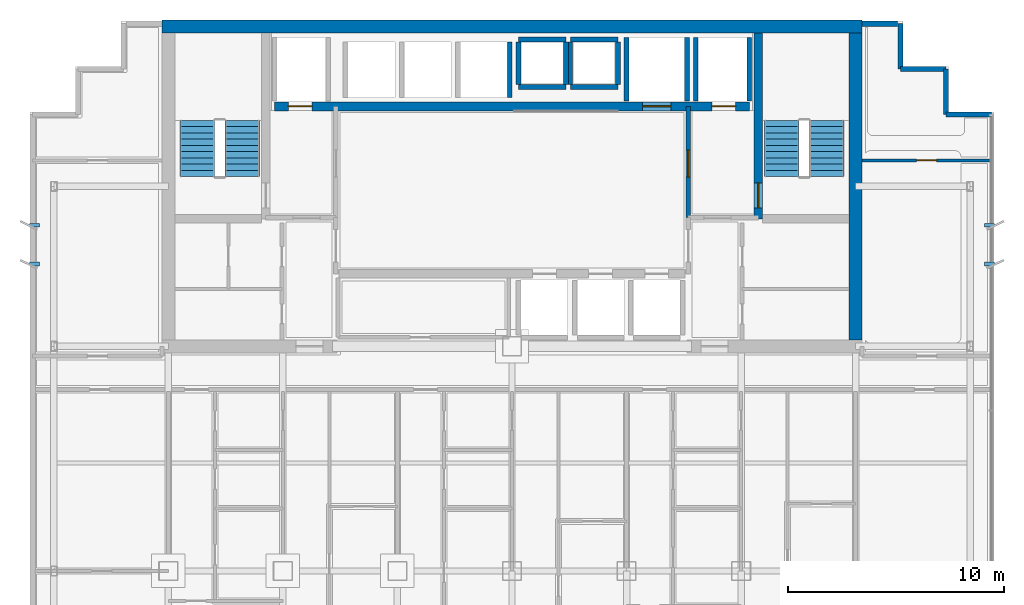
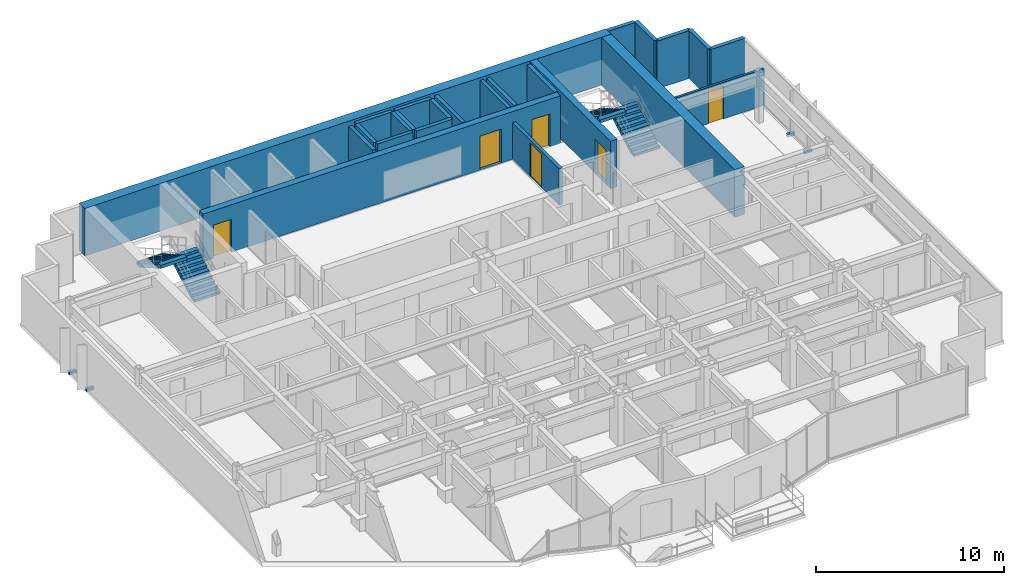
# One storey, part 11 of 13: 24 walls, 6 doors, 4 discrete accessories, 4 stair flights, 6 openings, 2 elements without a shape of their own.
"""IFC4 building model written with IfcOpenShell, lengths in metres."""

from ifc_helpers import new_model, si_unit, direction, frame, frame_2d, origin, origin_2d, place, context, subcontext, project, spatial, polyline, rectangle, outline, extrude, source, transform, mapped, material, layer, layer_set, type_object, element, fill, aggregate, save


model = new_model("IFC4")

# Units and contexts
model_context = context("Model", 3, precision=1e-05, world=origin(), true_north=direction((0.0, 1.0)))
body_context = subcontext(model_context, "Body", "Model", "MODEL_VIEW")
ifc_project = project(units=[si_unit("LENGTHUNIT", "METRE"), si_unit("AREAUNIT", "SQUARE_METRE"), si_unit("VOLUMEUNIT", "CUBIC_METRE"), si_unit("PLANEANGLEUNIT", "RADIAN"), si_unit("MASSUNIT", "GRAM", prefix="KILO")], contexts=[model_context])

# Site, building, storey
site_placement = place(None, origin())
site = spatial("IfcSite", under=ifc_project, at=site_placement, CompositionType="ELEMENT")
building_placement = place(site_placement, origin())
building = spatial("IfcBuilding", under=site, at=building_placement, Name="Qianlan Lanfeng Residences", CompositionType="ELEMENT")
storey_placement = place(building_placement, frame((0.0, 0.0, 162.300048828125)))
storey = spatial("IfcBuildingStorey", under=building, at=storey_placement, Name="L44", CompositionType="ELEMENT", Elevation=162.300048828125)

# Wall, opening, door
ifc_material_1 = material(Name="Concrete C56", Category="concrete")
ifc_layer_1 = layer(ifc_material_1, 0.39990234375)
ifc_layer_set_1 = layer_set([ifc_layer_1], Name="Concrete C56")
wall_type_1 = type_object("IfcWallType", Name="CW-RC-400", PredefinedType="SHEAR", material=ifc_layer_set_1)
wall_1_placement = place(storey_placement, frame((37.89990234375, 31.10009765625, 0.0), z_axis=(0.0, 0.0, 1.0), x_axis=(0.0, 1.0, 0.0)))
wall_1 = element("IfcWall", 1, at=wall_1_placement, inside=storey, type_object=wall_type_1, Name="L44 Core Shear Wall ST2W", PredefinedType="SHEAR", context=body_context, shape_type="SweptSolid", body=[
    extrude(rectangle(XDim=8.599853515625, YDim=0.39990234375, at=frame_2d((4.2998046875, 0.0))), origin(), (0.0, 0.0, 1.0), 3.099853515625),
])
opening_1_placement = place(wall_1_placement, frame((0.510009765625, 0.0, 0.0)))
opening_1 = element("IfcOpeningElement", 2, at=opening_1_placement, cuts=wall_1, Name="Opening L44-D08", PredefinedType="OPENING", context=body_context, shape_type="SweptSolid", body=[
    extrude(rectangle(XDim=1.14990234375, YDim=2.199951171875, at=frame_2d((0.574951171875, 1.10009765625))), frame((0.0, 0.2099609375, 0.0), z_axis=(0.0, -1.0, 0.0), x_axis=(1.0, 0.0, 0.0)), (0.0, 0.0, 1.0), 0.419921875),
])
ifc_material_2 = material(Name="Painted Galvanised Steel Fire Door", Category="steel")
door_type_1 = type_object("IfcDoorType", Name="DT-ST1", OperationType="NOTDEFINED", PredefinedType="DOOR", material=ifc_material_2)
door_1_placement = place(opening_1_placement, origin())
door_1 = element("IfcDoor", 3, at=door_1_placement, inside=storey, type_object=door_type_1, Name="L44 Exit Stair ST-2 Door L44-D08 (DT-ST1)", OperationType="SINGLE_SWING_RIGHT", OverallHeight=2.199951171875, OverallWidth=1.14990234375, PredefinedType="DOOR", context=body_context, shape_type="SweptSolid", body=[
    extrude(rectangle(XDim=1.14990234375, YDim=2.199951171875, at=frame_2d((0.574951171875, 1.10009765625))), frame((0.0, 0.02490234375, 0.0), z_axis=(0.0, -1.0, 0.0), x_axis=(1.0, 0.0, 0.0)), (0.0, 0.0, 1.0), 0.050048828125),
])
fill(opening_1, door_1)

# Wall, openings, doors
wall_2_placement = place(storey_placement, frame((15.5, 36.300048828125, 0.0), z_axis=(0.0, 0.0, 1.0), x_axis=(1.0, 0.0, 0.0)))
wall_2 = element("IfcWall", 4, at=wall_2_placement, inside=storey, type_object=wall_type_1, Name="L44 Core Shear Wall LBN", PredefinedType="SHEAR", context=body_context, shape_type="SweptSolid", body=[
    extrude(rectangle(XDim=22.0, YDim=0.39990234375, at=frame_2d((11.0, 0.0))), origin(), (0.0, 0.0, 1.0), 3.099853515625),
])
opening_2_placement = place(wall_2_placement, frame((0.64990234375, 0.0, 0.0)))
opening_2 = element("IfcOpeningElement", 5, at=opening_2_placement, cuts=wall_2, Name="Opening L44-LD-FFL-1", PredefinedType="OPENING", context=body_context, shape_type="SweptSolid", body=[
    extrude(rectangle(XDim=1.10009765625, YDim=2.14990234375, at=frame_2d((0.550048828125, 1.074951171875))), frame((0.0, 0.2099609375, 0.0), z_axis=(0.0, -1.0, 0.0), x_axis=(1.0, 0.0, 0.0)), (0.0, 0.0, 1.0), 0.419921875),
])
opening_3_placement = place(wall_2_placement, frame((20.25, 0.0, 0.0)))
opening_3 = element("IfcOpeningElement", 6, at=opening_3_placement, cuts=wall_2, Name="Opening L44-LD-FFL-2", PredefinedType="OPENING", context=body_context, shape_type="SweptSolid", body=[
    extrude(rectangle(XDim=1.10009765625, YDim=2.14990234375, at=frame_2d((0.550048828125, 1.074951171875))), frame((0.0, 0.2099609375, 0.0), z_axis=(0.0, -1.0, 0.0), x_axis=(1.0, 0.0, 0.0)), (0.0, 0.0, 1.0), 0.419921875),
])
opening_4_placement = place(wall_2_placement, frame((17.050048828125, 0.0, 0.0)))
opening_4 = element("IfcOpeningElement", 7, at=opening_4_placement, cuts=wall_2, Name="Opening L44-LD-SVL-1", PredefinedType="OPENING", context=body_context, shape_type="SweptSolid", body=[
    extrude(rectangle(XDim=1.300048828125, YDim=2.199951171875, at=frame_2d((0.64990234375, 1.10009765625))), frame((0.0, 0.2099609375, 0.0), z_axis=(0.0, -1.0, 0.0), x_axis=(1.0, 0.0, 0.0)), (0.0, 0.0, 1.0), 0.419921875),
])
ifc_material_3 = material(Name="Brushed Stainless Steel Sliding Lift Door", Category="steel")
door_type_2 = type_object("IfcDoorType", Name="LD-01", OperationType="NOTDEFINED", PredefinedType="DOOR", material=ifc_material_3)
door_2_placement = place(opening_2_placement, frame((1.10009765625, 0.0, 0.0), z_axis=(0.0, 0.0, 1.0), x_axis=(-1.0, 0.0, 0.0)))
door_2 = element("IfcDoor", 8, at=door_2_placement, inside=storey, type_object=door_type_2, Name="L44 Elevator FFL-1 Sliding Landing Door", OperationType="DOUBLE_DOOR_SLIDING", OverallHeight=2.14990234375, OverallWidth=1.10009765625, PredefinedType="DOOR", context=body_context, shape_type="SweptSolid", body=[
    extrude(rectangle(XDim=1.10009765625, YDim=2.14990234375, at=frame_2d((0.550048828125, 1.074951171875))), frame((0.0, 0.02490234375, 0.0), z_axis=(0.0, -1.0, 0.0), x_axis=(1.0, 0.0, 0.0)), (0.0, 0.0, 1.0), 0.050048828125),
])
fill(opening_2, door_2)
door_3_placement = place(opening_3_placement, frame((1.10009765625, 0.0, 0.0), z_axis=(0.0, 0.0, 1.0), x_axis=(-1.0, 0.0, 0.0)))
door_3 = element("IfcDoor", 9, at=door_3_placement, inside=storey, type_object=door_type_2, Name="L44 Elevator FFL-2 Sliding Landing Door", OperationType="DOUBLE_DOOR_SLIDING", OverallHeight=2.14990234375, OverallWidth=1.10009765625, PredefinedType="DOOR", context=body_context, shape_type="SweptSolid", body=[
    extrude(rectangle(XDim=1.10009765625, YDim=2.14990234375, at=frame_2d((0.550048828125, 1.074951171875))), frame((0.0, 0.02490234375, 0.0), z_axis=(0.0, -1.0, 0.0), x_axis=(1.0, 0.0, 0.0)), (0.0, 0.0, 1.0), 0.050048828125),
])
fill(opening_3, door_3)
door_type_3 = type_object("IfcDoorType", Name="LD-02", OperationType="NOTDEFINED", PredefinedType="DOOR", material=ifc_material_3)
door_4_placement = place(opening_4_placement, frame((1.300048828125, 0.0, 0.0), z_axis=(0.0, 0.0, 1.0), x_axis=(-1.0, 0.0, 0.0)))
door_4 = element("IfcDoor", 10, at=door_4_placement, inside=storey, type_object=door_type_3, Name="L44 Elevator SVL-1 Sliding Landing Door", OperationType="DOUBLE_DOOR_SLIDING", OverallHeight=2.199951171875, OverallWidth=1.300048828125, PredefinedType="DOOR", context=body_context, shape_type="SweptSolid", body=[
    extrude(rectangle(XDim=1.300048828125, YDim=2.199951171875, at=frame_2d((0.64990234375, 1.10009765625))), frame((0.0, 0.02490234375, 0.0), z_axis=(0.0, -1.0, 0.0), x_axis=(1.0, 0.0, 0.0)), (0.0, 0.0, 1.0), 0.050048828125),
])
fill(opening_4, door_4)

# Walls
ifc_layer_2 = layer(ifc_material_1, 0.60009765625)
ifc_layer_set_2 = layer_set([ifc_layer_2], Name="Concrete C56")
wall_type_2 = type_object("IfcWallType", Name="CW-RC-600", PredefinedType="SHEAR", material=ifc_layer_set_2)
wall_3_placement = place(storey_placement, frame((10.300048828125, 40.0, 0.0), z_axis=(0.0, 0.0, 1.0), x_axis=(1.0, 0.0, 0.0)))
element("IfcWall", 11, at=wall_3_placement, inside=storey, type_object=wall_type_2, Name="L44 Core Shear Wall N", PredefinedType="SHEAR", context=body_context, shape_type="SweptSolid", body=[
    extrude(rectangle(XDim=32.39990234375, YDim=0.60009765625, at=frame_2d((16.199951171875, 0.0))), origin(), (0.0, 0.0, 1.0), 3.099853515625),
])
wall_4_placement = place(storey_placement, frame((42.39990234375, 25.5, 0.0), z_axis=(0.0, 0.0, 1.0), x_axis=(0.0, 1.0, 0.0)))
element("IfcWall", 12, at=wall_4_placement, inside=storey, type_object=wall_type_2, Name="L44 Core Shear Wall E", PredefinedType="SHEAR", context=body_context, shape_type="SweptSolid", body=[
    extrude(rectangle(XDim=14.199951171875, YDim=0.60009765625, at=frame_2d((7.10009765625, 0.0))), origin(), (0.0, 0.0, 1.0), 3.099853515625),
])
ifc_material_4 = material(Name="Concrete C42", Category="concrete")
ifc_layer_3 = layer(ifc_material_4, 0.239990234375)
ifc_layer_set_3 = layer_set([ifc_layer_3], Name="Concrete C42")
wall_type_3 = type_object("IfcWallType", Name="EW-240", PredefinedType="SOLIDWALL", material=ifc_layer_set_3)
wall_5_placement = place(storey_placement, frame((48.679931640625, 35.929931640625, 0.0), z_axis=(0.0, 0.0, 1.0), x_axis=(-1.0, 0.0, 0.0)))
element("IfcWall", 13, at=wall_5_placement, inside=storey, type_object=wall_type_3, Name="L44 Exterior Facade Spandrel Wall 11", PredefinedType="SOLIDWALL", context=body_context, shape_type="SweptSolid", body=[
    extrude(rectangle(XDim=2.099853515625, YDim=0.239990234375, at=frame_2d((1.0498046875, 0.0))), origin(), (0.0, 0.0, 1.0), 3.099853515625),
])
for number, where, z_axis, x_axis, name in (
    (14, (46.580078125, 35.929931640625, 0.0), (0.0, 0.0, 1.0), (0.0, 1.0, 0.0), "L44 Exterior Facade Spandrel Wall 12"),
    (15, (46.580078125, 38.030029296875, 0.0), (0.0, 0.0, 1.0), (-1.0, 0.0, 0.0), "L44 Exterior Facade Spandrel Wall 13"),
):
    element("IfcWall", number, at=place(storey_placement, frame(where, z_axis=z_axis, x_axis=x_axis)), inside=storey, type_object=wall_type_3, Name=name, PredefinedType="SOLIDWALL", context=body_context, shape_type="SweptSolid", body=[
        extrude(rectangle(XDim=2.10009765625, YDim=0.239990234375, at=frame_2d((1.050048828125, 0.0))), origin(), (0.0, 0.0, 1.0), 3.099853515625),
    ])
wall_6_placement = place(storey_placement, frame((44.47998046875, 38.030029296875, 0.0), z_axis=(0.0, 0.0, 1.0), x_axis=(0.0, 1.0, 0.0)))
element("IfcWall", 16, at=wall_6_placement, inside=storey, type_object=wall_type_3, Name="L44 Exterior Facade Spandrel Wall 14", PredefinedType="SOLIDWALL", context=body_context, shape_type="SweptSolid", body=[
    extrude(rectangle(XDim=2.099853515625, YDim=0.239990234375, at=frame_2d((1.0498046875, 0.0))), origin(), (0.0, 0.0, 1.0), 3.099853515625),
])
wall_7_placement = place(storey_placement, frame((44.35009765625, 40.1298828125, 0.0), z_axis=(0.0, 0.0, 1.0), x_axis=(-1.0, 0.0, 0.0)))
element("IfcWall", 17, at=wall_7_placement, inside=storey, type_object=wall_type_3, Name="L44 North Wing Exterior Wall E", PredefinedType="SOLIDWALL", context=body_context, shape_type="SweptSolid", body=[
    extrude(rectangle(XDim=1.650146484375, YDim=0.239990234375, at=frame_2d((0.8251953125, 0.0))), origin(), (0.0, 0.0, 1.0), 3.099853515625),
])

# Wall, opening, door
ifc_material_5 = material(Name="Moisture-Resistant Gypsum Partition 135 mm")
ifc_layer_4 = layer(ifc_material_5, 0.135009765625)
ifc_layer_set_4 = layer_set([ifc_layer_4], Name="Moisture-Resistant Gypsum Partition 135 mm")
wall_type_4 = type_object("IfcWallType", Name="PW-135", PredefinedType="PARTITIONING", material=ifc_layer_set_4)
wall_8_placement = place(storey_placement, frame((42.699951171875, 33.800048828125, 0.0), z_axis=(0.0, 0.0, 1.0), x_axis=(1.0, 0.0, 0.0)))
wall_8 = element("IfcWall", 18, at=wall_8_placement, inside=storey, type_object=wall_type_4, Name="L44 EW North Wing Wall", PredefinedType="PARTITIONING", context=body_context, shape_type="SweptSolid", body=[
    extrude(rectangle(XDim=5.97998046875, YDim=0.135009765625, at=frame_2d((2.989990234375, 0.0))), origin(), (0.0, 0.0, 1.0), 2.3798828125),
])
opening_5_placement = place(wall_8_placement, frame((2.530029296875, 0.0, 0.0)))
opening_5 = element("IfcOpeningElement", 19, at=opening_5_placement, cuts=wall_8, Name="Opening L44-D53", PredefinedType="OPENING", context=body_context, shape_type="SweptSolid", body=[
    extrude(rectangle(XDim=0.919921875, YDim=2.14990234375, at=frame_2d((0.4599609375, 1.074951171875))), frame((0.0, 0.07763671875, 0.0), z_axis=(0.0, -1.0, 0.0), x_axis=(1.0, 0.0, 0.0)), (0.0, 0.0, 1.0), 0.155029296875),
])
ifc_material_6 = material(Name="Glazed Timber Kitchen/Study Door", Category="wood")
door_type_4 = type_object("IfcDoorType", Name="DT-INT", OperationType="NOTDEFINED", PredefinedType="DOOR", material=ifc_material_6)
door_5_placement = place(opening_5_placement, origin())
door_5 = element("IfcDoor", 20, at=door_5_placement, inside=storey, type_object=door_type_4, Name="L44 EW Inner Salon Door L44-D53 (DT-INT)", OperationType="SINGLE_SWING_RIGHT", OverallHeight=2.14990234375, OverallWidth=0.919921875, PredefinedType="DOOR", context=body_context, shape_type="SweptSolid", body=[
    extrude(rectangle(XDim=0.919921875, YDim=2.14990234375, at=frame_2d((0.4599609375, 1.074951171875))), frame((0.0, 0.02490234375, 0.0), z_axis=(0.0, -1.0, 0.0), x_axis=(1.0, 0.0, 0.0)), (0.0, 0.0, 1.0), 0.050048828125),
])
fill(opening_5, door_5)

ifc_material_7 = material(Name="Autoclaved Aerated Concrete Blockwork 200 mm", Category="masonry")
ifc_layer_5 = layer(ifc_material_7, 0.199951171875)
ifc_layer_set_5 = layer_set([ifc_layer_5], Name="Autoclaved Aerated Concrete Blockwork 200 mm")
wall_type_5 = type_object("IfcWallType", Name="PW-200", PredefinedType="PARTITIONING", material=ifc_layer_set_5)
wall_9_placement = place(storey_placement, frame((34.64990234375, 31.14990234375, 0.0), z_axis=(0.0, 0.0, 1.0), x_axis=(0.0, 1.0, 0.0)))
wall_9 = element("IfcWall", 21, at=wall_9_placement, inside=storey, type_object=wall_type_5, Name="L44 Firefighting Lobby 2 West Wall", PredefinedType="PARTITIONING", context=body_context, shape_type="SweptSolid", body=[
    extrude(rectangle(XDim=5.150146484375, YDim=0.199951171875, at=frame_2d((2.5751953125, 0.0))), origin(), (0.0, 0.0, 1.0), 2.3798828125),
])
opening_6_placement = place(wall_9_placement, frame((1.875, 0.0, 0.0)))
opening_6 = element("IfcOpeningElement", 22, at=opening_6_placement, cuts=wall_9, Name="Opening L44-D06", PredefinedType="OPENING", context=body_context, shape_type="SweptSolid", body=[
    extrude(rectangle(XDim=1.25, YDim=2.199951171875, at=frame_2d((0.625, 1.10009765625))), frame((0.0, 0.10986328125, 0.0), z_axis=(0.0, -1.0, 0.0), x_axis=(1.0, 0.0, 0.0)), (0.0, 0.0, 1.0), 0.219970703125),
])
door_type_5 = type_object("IfcDoorType", Name="DT-FFL", OperationType="NOTDEFINED", PredefinedType="DOOR", material=ifc_material_2)
door_6_placement = place(opening_6_placement, origin())
door_6 = element("IfcDoor", 23, at=door_6_placement, inside=storey, type_object=door_type_5, Name="L44 Firefighting Lobby 2 Lift Lobby Door L44-D06 (DT-FFL)", OperationType="SINGLE_SWING_LEFT", OverallHeight=2.199951171875, OverallWidth=1.25, PredefinedType="DOOR", context=body_context, shape_type="SweptSolid", body=[
    extrude(rectangle(XDim=1.25, YDim=2.199951171875, at=frame_2d((0.625, 1.10009765625))), frame((0.0, 0.02490234375, 0.0), z_axis=(0.0, -1.0, 0.0), x_axis=(1.0, 0.0, 0.0)), (0.0, 0.0, 1.0), 0.050048828125),
])
fill(opening_6, door_6)

# Walls
ifc_material_8 = material(Name="Concrete C49", Category="concrete")
ifc_layer_6 = layer(ifc_material_8, 0.219970703125)
ifc_layer_set_6 = layer_set([ifc_layer_6], Name="Concrete C49")
wall_type_6 = type_object("IfcWallType", Name="SHW-220", PredefinedType="SOLIDWALL", material=ifc_layer_set_6)
for number, where, z_axis, x_axis, name in (
    (24, (35.0, 36.550048828125, 0.0), (0.0, 0.0, 1.0), (0.0, 1.0, 0.0), "L44 Lift FFL-2 Shaft Wall W"),
    (25, (37.47998046875, 36.550048828125, 0.0), (0.0, 0.0, 1.0), (0.0, 1.0, 0.0), "L44 Lift FFL-2 Shaft Wall E"),
    (26, (31.800048828125, 36.550048828125, 0.0), (0.0, 0.0, 1.0), (0.0, 1.0, 0.0), "L44 Lift SVL-1 Shaft Wall W"),
    (27, (34.60009765625, 36.550048828125, 0.0), (0.0, 0.0, 1.0), (0.0, 1.0, 0.0), "L44 Lift SVL-1 Shaft Wall E"),
):
    element("IfcWall", number, at=place(storey_placement, frame(where, z_axis=z_axis, x_axis=x_axis)), inside=storey, type_object=wall_type_6, Name=name, PredefinedType="SOLIDWALL", context=body_context, shape_type="SweptSolid", body=[
        extrude(rectangle(XDim=2.929931640625, YDim=0.219970703125, at=frame_2d((1.46484375, 0.0))), origin(), (0.0, 0.0, 1.0), 3.099853515625),
    ])
wall_10_placement = place(storey_placement, frame((26.39990234375, 36.719970703125, 0.0), z_axis=(0.0, 0.0, 1.0), x_axis=(0.0, 1.0, 0.0)))
element("IfcWall", 28, at=wall_10_placement, inside=storey, type_object=wall_type_6, Name="L44 Lift PL-H3 Shaft Wall E", PredefinedType="SOLIDWALL", context=body_context, shape_type="SweptSolid", body=[
    extrude(rectangle(XDim=2.56005859375, YDim=0.219970703125, at=frame_2d((1.280029296875, 0.0))), origin(), (0.0, 0.0, 1.0), 3.099853515625),
])
for number, where, z_axis, x_axis, name in (
    (29, (26.800048828125, 37.31005859375, 0.0), (0.0, 0.0, 1.0), (0.0, 1.0, 0.0), "L44 MEP Riser MEP-R1 Shaft Wall W"),
    (30, (29.0, 37.31005859375, 0.0), (0.0, 0.0, 1.0), (0.0, 1.0, 0.0), "L44 MEP Riser MEP-R1 Shaft Wall E"),
):
    element("IfcWall", number, at=place(storey_placement, frame(where, z_axis=z_axis, x_axis=x_axis)), inside=storey, type_object=wall_type_6, Name=name, PredefinedType="SOLIDWALL", context=body_context, shape_type="SweptSolid", body=[
        extrude(rectangle(XDim=1.97998046875, YDim=0.219970703125, at=frame_2d((0.989990234375, 0.0))), origin(), (0.0, 0.0, 1.0), 3.099853515625),
    ])
for number, where, z_axis, x_axis, name in (
    (31, (26.800048828125, 39.39990234375, 0.0), (0.0, 0.0, 1.0), (1.0, 0.0, 0.0), "L44 MEP Riser MEP-R1 Shaft Wall N"),
    (32, (26.800048828125, 37.199951171875, 0.0), (0.0, 0.0, 1.0), (1.0, 0.0, 0.0), "L44 MEP Riser MEP-R1 Shaft Wall S"),
):
    element("IfcWall", number, at=place(storey_placement, frame(where, z_axis=z_axis, x_axis=x_axis)), inside=storey, type_object=wall_type_6, Name=name, PredefinedType="SOLIDWALL", context=body_context, shape_type="SweptSolid", body=[
        extrude(rectangle(XDim=2.199951171875, YDim=0.219970703125, at=frame_2d((1.10009765625, 0.0))), origin(), (0.0, 0.0, 1.0), 3.099853515625),
    ])
for number, where, z_axis, x_axis, name in (
    (33, (29.199951171875, 37.31005859375, 0.0), (0.0, 0.0, 1.0), (0.0, 1.0, 0.0), "L44 MEP Riser MEP-R2 Shaft Wall W"),
    (34, (31.39990234375, 37.31005859375, 0.0), (0.0, 0.0, 1.0), (0.0, 1.0, 0.0), "L44 MEP Riser MEP-R2 Shaft Wall E"),
):
    element("IfcWall", number, at=place(storey_placement, frame(where, z_axis=z_axis, x_axis=x_axis)), inside=storey, type_object=wall_type_6, Name=name, PredefinedType="SOLIDWALL", context=body_context, shape_type="SweptSolid", body=[
        extrude(rectangle(XDim=1.97998046875, YDim=0.219970703125, at=frame_2d((0.989990234375, 0.0))), origin(), (0.0, 0.0, 1.0), 3.099853515625),
    ])
for number, where, z_axis, x_axis, name in (
    (35, (29.199951171875, 39.39990234375, 0.0), (0.0, 0.0, 1.0), (1.0, 0.0, 0.0), "L44 MEP Riser MEP-R2 Shaft Wall N"),
    (36, (29.199951171875, 37.199951171875, 0.0), (0.0, 0.0, 1.0), (1.0, 0.0, 0.0), "L44 MEP Riser MEP-R2 Shaft Wall S"),
):
    element("IfcWall", number, at=place(storey_placement, frame(where, z_axis=z_axis, x_axis=x_axis)), inside=storey, type_object=wall_type_6, Name=name, PredefinedType="SOLIDWALL", context=body_context, shape_type="SweptSolid", body=[
        extrude(rectangle(XDim=2.199951171875, YDim=0.219970703125, at=frame_2d((1.10009765625, 0.0))), origin(), (0.0, 0.0, 1.0), 3.099853515625),
    ])

# Stair, stair flights
stair_type = type_object("IfcStairType", Name="STR-MAIN", PredefinedType="HALF_TURN_STAIR", material=ifc_material_4)
stair_1_placement = place(storey_placement, origin())
stair_1 = element("IfcStair", 37, at=stair_1_placement, inside=storey, type_object=stair_type, Name="L44 Exit Stair ST-1", PredefinedType="HALF_TURN_STAIR")
stair_flight_type = type_object("IfcStairFlightType", Name="FLT-1720", PredefinedType="STRAIGHT", material=ifc_material_4)
stair_flight_1_placement = place(storey_placement, frame((14.02001953125, 33.050048828125, 0.0), z_axis=(0.0, 0.0, 1.0), x_axis=(0.0, 1.0, 0.0)))
stair_flight_1 = element("IfcStairFlight", 38, at=stair_flight_1_placement, type_object=stair_flight_type, Name="ST-1 flight 1", NumberOfRisers=10, NumberOfTreads=9, PredefinedType="STRAIGHT", RiserHeight=0.165, TreadLength=0.29, context=body_context, shape_type="SweptSolid", body=[
    extrude(outline(polyline([(0.0, 0.0), (0.0, 0.1650390625), (0.2900390625, 0.1650390625), (0.2900390625, 0.330078125), (0.580078125, 0.330078125), (0.580078125, 0.4951171875), (0.8701171875, 0.4951171875), (0.8701171875, 0.659912109375), (1.159912109375, 0.659912109375), (1.159912109375, 0.824951171875), (1.449951171875, 0.824951171875), (1.449951171875, 0.989990234375), (1.739990234375, 0.989990234375), (1.739990234375, 1.155029296875), (2.030029296875, 1.155029296875), (2.030029296875, 1.320068359375), (2.320068359375, 1.320068359375), (2.320068359375, 1.485107421875), (2.610107421875, 1.485107421875), (2.610107421875, 1.64990234375), (2.610107421875, 1.278076171875), (0.36376953125, 0.0), (0.0, 0.0)])), frame((0.0, 0.800048828125, 0.0), z_axis=(0.0, -1.0, 0.0), x_axis=(1.0, 0.0, 0.0)), (0.0, 0.0, 1.0), 1.60009765625),
])
stair_flight_2_placement = place(storey_placement, frame((11.93994140625, 35.659912109375, 1.64990234375), z_axis=(0.0, 0.0, 1.0), x_axis=(0.0, -1.0, 0.0)))
stair_flight_2 = element("IfcStairFlight", 39, at=stair_flight_2_placement, type_object=stair_flight_type, Name="ST-1 flight 2", NumberOfRisers=10, NumberOfTreads=9, PredefinedType="STRAIGHT", RiserHeight=0.165, TreadLength=0.29, context=body_context, shape_type="SweptSolid", body=[
    extrude(outline(polyline([(0.0, 0.0), (0.0, 0.1650390625), (0.2900390625, 0.1650390625), (0.2900390625, 0.330078125), (0.580078125, 0.330078125), (0.580078125, 0.4951171875), (0.8701171875, 0.4951171875), (0.8701171875, 0.659912109375), (1.159912109375, 0.659912109375), (1.159912109375, 0.824951171875), (1.449951171875, 0.824951171875), (1.449951171875, 0.989990234375), (1.739990234375, 0.989990234375), (1.739990234375, 1.155029296875), (2.030029296875, 1.155029296875), (2.030029296875, 1.320068359375), (2.320068359375, 1.320068359375), (2.320068359375, 1.485107421875), (2.610107421875, 1.485107421875), (2.610107421875, 1.64990234375), (2.610107421875, 1.278076171875), (0.36376953125, 0.0), (0.0, 0.0)])), frame((0.0, 0.800048828125, 0.0), z_axis=(0.0, -1.0, 0.0), x_axis=(1.0, 0.0, 0.0)), (0.0, 0.0, 1.0), 1.60009765625),
])
aggregate(stair_1, [stair_flight_1, stair_flight_2])

stair_2_placement = place(storey_placement, origin())
stair_2 = element("IfcStair", 40, at=stair_2_placement, inside=storey, type_object=stair_type, Name="L44 Exit Stair ST-2", PredefinedType="HALF_TURN_STAIR")
stair_flight_3_placement = place(storey_placement, frame((41.06005859375, 33.050048828125, 0.0), z_axis=(0.0, 0.0, 1.0), x_axis=(0.0, 1.0, 0.0)))
stair_flight_3 = element("IfcStairFlight", 41, at=stair_flight_3_placement, type_object=stair_flight_type, Name="ST-2 flight 1", NumberOfRisers=10, NumberOfTreads=9, PredefinedType="STRAIGHT", RiserHeight=0.165, TreadLength=0.29, context=body_context, shape_type="SweptSolid", body=[
    extrude(outline(polyline([(0.0, 0.0), (0.0, 0.1650390625), (0.2900390625, 0.1650390625), (0.2900390625, 0.330078125), (0.580078125, 0.330078125), (0.580078125, 0.4951171875), (0.8701171875, 0.4951171875), (0.8701171875, 0.659912109375), (1.159912109375, 0.659912109375), (1.159912109375, 0.824951171875), (1.449951171875, 0.824951171875), (1.449951171875, 0.989990234375), (1.739990234375, 0.989990234375), (1.739990234375, 1.155029296875), (2.030029296875, 1.155029296875), (2.030029296875, 1.320068359375), (2.320068359375, 1.320068359375), (2.320068359375, 1.485107421875), (2.610107421875, 1.485107421875), (2.610107421875, 1.64990234375), (2.610107421875, 1.278076171875), (0.36376953125, 0.0), (0.0, 0.0)])), frame((0.0, 0.800048828125, 0.0), z_axis=(0.0, -1.0, 0.0), x_axis=(1.0, 0.0, 0.0)), (0.0, 0.0, 1.0), 1.60009765625),
])
stair_flight_4_placement = place(storey_placement, frame((38.97998046875, 35.659912109375, 1.64990234375), z_axis=(0.0, 0.0, 1.0), x_axis=(0.0, -1.0, 0.0)))
stair_flight_4 = element("IfcStairFlight", 42, at=stair_flight_4_placement, type_object=stair_flight_type, Name="ST-2 flight 2", NumberOfRisers=10, NumberOfTreads=9, PredefinedType="STRAIGHT", RiserHeight=0.165, TreadLength=0.29, context=body_context, shape_type="SweptSolid", body=[
    extrude(outline(polyline([(0.0, 0.0), (0.0, 0.1650390625), (0.2900390625, 0.1650390625), (0.2900390625, 0.330078125), (0.580078125, 0.330078125), (0.580078125, 0.4951171875), (0.8701171875, 0.4951171875), (0.8701171875, 0.659912109375), (1.159912109375, 0.659912109375), (1.159912109375, 0.824951171875), (1.449951171875, 0.824951171875), (1.449951171875, 0.989990234375), (1.739990234375, 0.989990234375), (1.739990234375, 1.155029296875), (2.030029296875, 1.155029296875), (2.030029296875, 1.320068359375), (2.320068359375, 1.320068359375), (2.320068359375, 1.485107421875), (2.610107421875, 1.485107421875), (2.610107421875, 1.64990234375), (2.610107421875, 1.278076171875), (0.36376953125, 0.0), (0.0, 0.0)])), frame((0.0, 0.800048828125, 0.0), z_axis=(0.0, -1.0, 0.0), x_axis=(1.0, 0.0, 0.0)), (0.0, 0.0, 1.0), 1.60009765625),
])
aggregate(stair_2, [stair_flight_3, stair_flight_4])

# Discrete accessories
ifc_material_9 = material(Name="Stainless Steel Facade Bracket", Category="steel")
discrete_accessory_type = type_object("IfcDiscreteAccessoryType", Name="BRK-SS-350", PredefinedType="BRACKET", material=ifc_material_9)
shared_shape = source(origin(), body_context, "Body", "SweptSolid", [
    extrude(rectangle(XDim=0.449951171875, YDim=0.179931640625, at=origin_2d()), origin(), (0.0, 0.0, 1.0), 0.179931640625),
])
for number, where, z_axis, x_axis, name in (
    (43, (4.39990234375, 29.0, -0.14990234375), (0.0, 0.0, 1.0), (1.0, 0.0, 0.0), "L44 Raked Solar Fin Support Bracket W1"),
    (44, (4.39990234375, 30.800048828125, -0.14990234375), (0.0, 0.0, 1.0), (1.0, 0.0, 0.0), "L44 Raked Solar Fin Support Bracket W2"),
    (45, (48.60009765625, 29.0, -0.14990234375), (0.0, 0.0, 1.0), (1.0, 0.0, 0.0), "L44 Raked Solar Fin Support Bracket E1"),
    (46, (48.60009765625, 30.800048828125, -0.14990234375), (0.0, 0.0, 1.0), (1.0, 0.0, 0.0), "L44 Raked Solar Fin Support Bracket E2"),
):
    element("IfcDiscreteAccessory", number, at=place(storey_placement, frame(where, z_axis=z_axis, x_axis=x_axis)), inside=storey, type_object=discrete_accessory_type, Name=name, PredefinedType="BRACKET", context=body_context, shape_type="MappedRepresentation", body=[
        mapped(shared_shape, transform((0.0, 0.0, 0.0), scale=1.0)),
    ])

save(model, "model.ifc")
